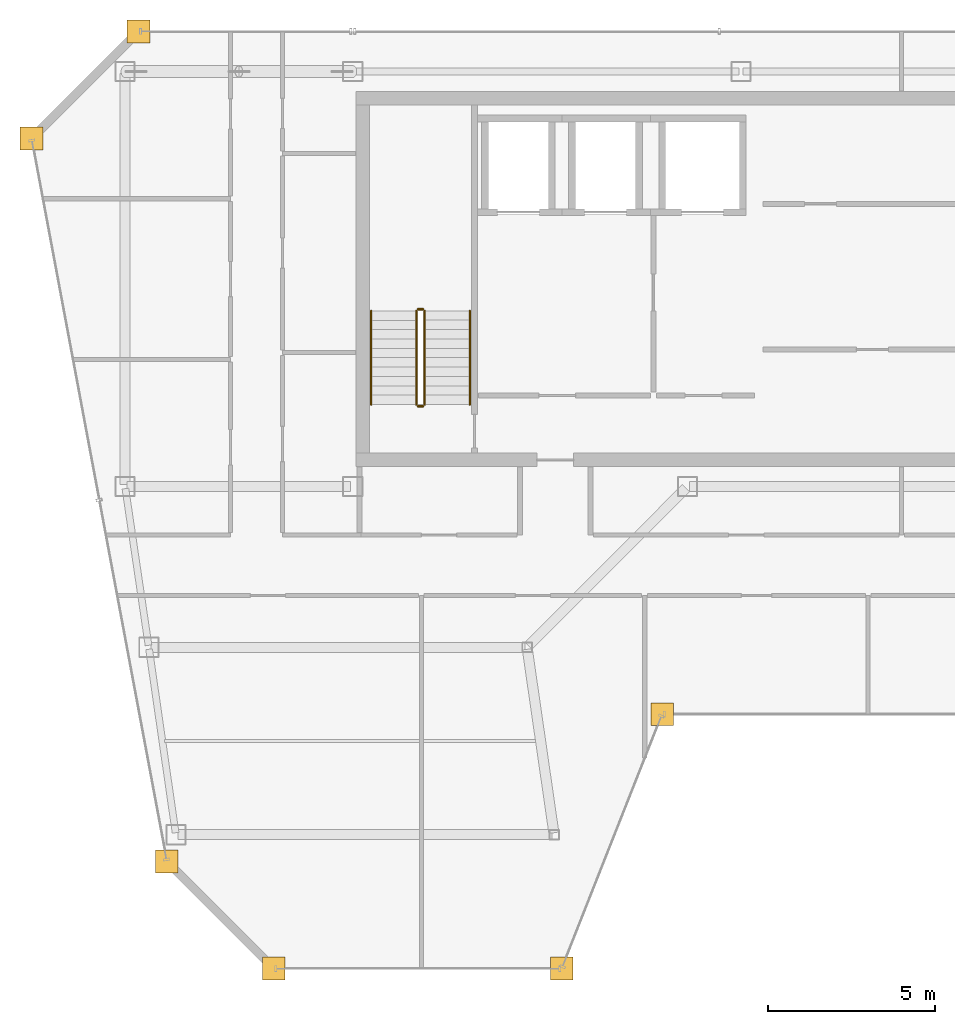
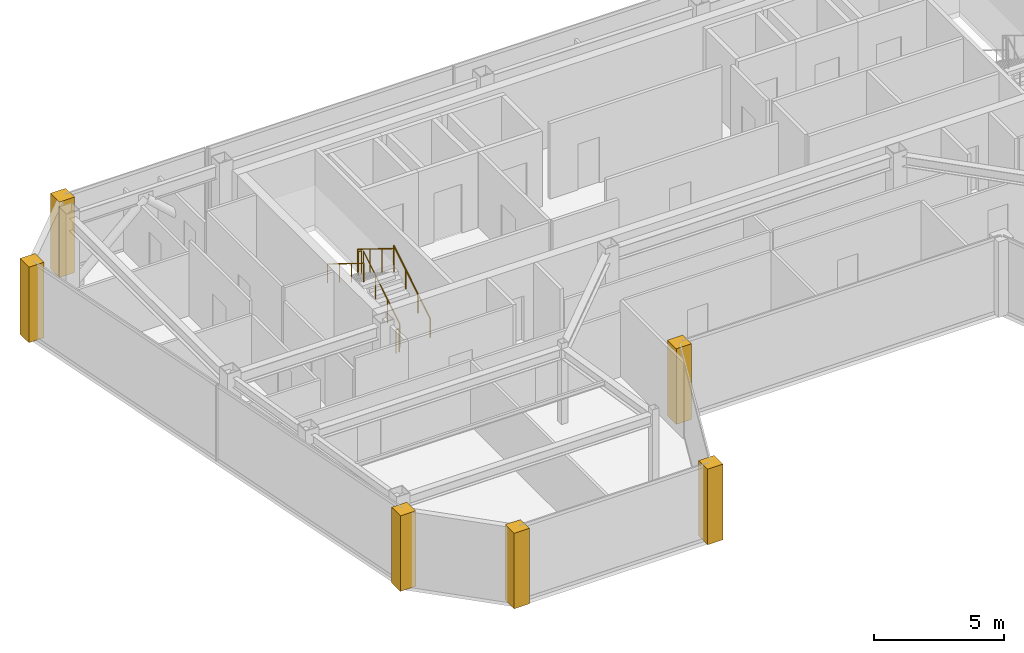
# One storey, part 22 of 23: 6 coverings, 6 railings.
"""IFC4 building model written with IfcOpenShell, lengths in metres."""

from ifc_helpers import new_model, si_unit, direction, frame, origin, origin_2d, place, context, subcontext, project, spatial, polyline, circle, outline, extrude, material, layer, layer_set, type_object, element, save


model = new_model("IFC4")

# Units and contexts
model_context = context("Model", 3, precision=1e-05, world=origin(), true_north=direction((0.0, 1.0)))
body_context = subcontext(model_context, "Body", "Model", "MODEL_VIEW")
ifc_project = project(units=[si_unit("LENGTHUNIT", "METRE"), si_unit("AREAUNIT", "SQUARE_METRE"), si_unit("VOLUMEUNIT", "CUBIC_METRE"), si_unit("PLANEANGLEUNIT", "RADIAN"), si_unit("MASSUNIT", "GRAM", prefix="KILO")], contexts=[model_context])

# Site, building, storey
site_placement = place(None, origin())
site = spatial("IfcSite", under=ifc_project, at=site_placement, CompositionType="ELEMENT")
building_placement = place(site_placement, origin())
building = spatial("IfcBuilding", under=site, at=building_placement, Name="Saevonmaru Cultural Tower", CompositionType="ELEMENT")
storey_placement = place(building_placement, frame((0.0, 0.0, 283.800048828125)))
storey = spatial("IfcBuildingStorey", under=building, at=storey_placement, Name="L67", CompositionType="ELEMENT", Elevation=283.800048828125)

# Coverings
ifc_material_1 = material(Name="Satin Bronze Anodised Aluminium", Category="aluminium")
ifc_layer = layer(ifc_material_1, 0.679931640625, Name="Satin Bronze Anodised Aluminium")
ifc_layer_set = layer_set([ifc_layer], Name="Satin Bronze Anodised Aluminium")
covering_type = type_object("IfcCoveringType", Name="CV-CORNER-CLAD", PredefinedType="CLADDING", material=ifc_layer_set)
covering_1_placement = place(storey_placement, origin())
element("IfcCovering", 1, at=covering_1_placement, inside=storey, type_object=covering_type, Name="L67 Tower Bronze Corner Cladding Pier 1", PredefinedType="CLADDING", context=body_context, shape_type="SweptSolid", body=[
    extrude(outline(polyline([(7.7041015625, 30.860107421875), (8.384033203125, 30.860107421875), (8.384033203125, 31.5400390625), (7.7041015625, 31.5400390625), (7.7041015625, 30.860107421875)])), origin(), (0.0, 0.0, 1.0), 3.550048828125),
])
covering_2_placement = place(storey_placement, origin())
element("IfcCovering", 2, at=covering_2_placement, inside=storey, type_object=covering_type, Name="L67 Tower Bronze Corner Cladding Pier 2", PredefinedType="CLADDING", context=body_context, shape_type="SweptSolid", body=[
    extrude(outline(polyline([(10.904052734375, 27.659912109375), (11.583984375, 27.659912109375), (11.583984375, 28.340087890625), (10.904052734375, 28.340087890625), (10.904052734375, 27.659912109375)])), origin(), (0.0, 0.0, 1.0), 3.550048828125),
])
covering_3_placement = place(storey_placement, origin())
element("IfcCovering", 3, at=covering_3_placement, inside=storey, type_object=covering_type, Name="L67 Tower Bronze Corner Cladding Pier 3", PredefinedType="CLADDING", context=body_context, shape_type="SweptSolid", body=[
    extrude(outline(polyline([(19.50390625, 27.659912109375), (20.18408203125, 27.659912109375), (20.18408203125, 28.340087890625), (19.50390625, 28.340087890625), (19.50390625, 27.659912109375)])), origin(), (0.0, 0.0, 1.0), 3.550048828125),
])
covering_4_placement = place(storey_placement, origin())
element("IfcCovering", 4, at=covering_4_placement, inside=storey, type_object=covering_type, Name="L67 Tower Bronze Corner Cladding Pier 4", PredefinedType="CLADDING", context=body_context, shape_type="SweptSolid", body=[
    extrude(outline(polyline([(22.50390625, 35.260009765625), (23.18408203125, 35.260009765625), (23.18408203125, 35.93994140625), (22.50390625, 35.93994140625), (22.50390625, 35.260009765625)])), origin(), (0.0, 0.0, 1.0), 3.550048828125),
])
covering_5_placement = place(storey_placement, origin())
element("IfcCovering", 5, at=covering_5_placement, inside=storey, type_object=covering_type, Name="L67 Tower Bronze Corner Cladding Pier 11", PredefinedType="CLADDING", context=body_context, shape_type="SweptSolid", body=[
    extrude(outline(polyline([(6.860107421875, 55.659912109375), (7.5400390625, 55.659912109375), (7.5400390625, 56.340087890625), (6.860107421875, 56.340087890625), (6.860107421875, 55.659912109375)])), origin(), (0.0, 0.0, 1.0), 3.550048828125),
])
covering_6_placement = place(storey_placement, origin())
element("IfcCovering", 6, at=covering_6_placement, inside=storey, type_object=covering_type, Name="L67 Tower Bronze Corner Cladding Pier 12", PredefinedType="CLADDING", context=body_context, shape_type="SweptSolid", body=[
    extrude(outline(polyline([(3.659912109375, 52.4599609375), (4.340087890625, 52.4599609375), (4.340087890625, 53.139892578125), (3.659912109375, 53.139892578125), (3.659912109375, 52.4599609375)])), origin(), (0.0, 0.0, 1.0), 3.550048828125),
])

# Railings
ifc_material_2 = material(Name="Architectural Painted Steel", Category="steel")
railing_type_1 = type_object("IfcRailingType", Name="RL-STAIR-GUARD", PredefinedType="GUARDRAIL", material=ifc_material_2)
railing_1_placement = place(storey_placement, frame((15.75, 44.85009765625, 0.172607421875)))
element("IfcRailing", 7, at=railing_1_placement, inside=storey, type_object=railing_type_1, Name="L67 ST-1 stair guard 1", PredefinedType="GUARDRAIL", context=body_context, shape_type="SweptSolid", body=[
    extrude(circle(Radius=0.02392578125, at=origin_2d()), frame((0.0, 0.0, 1.09619140625), z_axis=(0.0, 0.851069175582, 0.525053576669), x_axis=(-1.0, 0.0, 0.0)), (0.0, 0.0, 1.0), 3.289794921875),
    extrude(circle(Radius=0.02099609375, at=origin_2d()), origin(), (0.0, 0.0, 1.0), 1.072021484375),
    extrude(circle(Radius=0.02099609375, at=origin_2d()), frame((0.0, 0.933349609375, 0.57568359375)), (0.0, 0.0, 1.0), 1.072021484375),
    extrude(circle(Radius=0.02099609375, at=origin_2d()), frame((0.0, 1.866455078125, 1.151611328125)), (0.0, 0.0, 1.0), 1.072021484375),
    extrude(circle(Radius=0.02099609375, at=origin_2d()), frame((0.0, 2.7998046875, 1.727294921875)), (0.0, 0.0, 1.0), 1.072021484375),
])
railing_2_placement = place(storey_placement, frame((15.699951171875, 47.699951171875, 1.89990234375)))
element("IfcRailing", 8, at=railing_2_placement, inside=storey, type_object=railing_type_1, Name="L67 ST-1 stair guard 2", PredefinedType="GUARDRAIL", context=body_context, shape_type="SweptSolid", body=[
    extrude(circle(Radius=0.02392578125, at=origin_2d()), frame((0.0, 0.0, 1.09619140625), z_axis=(-1.0, 0.0, 0.0), x_axis=(0.0, -1.0, 0.0)), (0.0, 0.0, 1.0), 0.14990234375),
    extrude(circle(Radius=0.02099609375, at=origin_2d()), origin(), (0.0, 0.0, 1.0), 1.072021484375),
    extrude(circle(Radius=0.02099609375, at=origin_2d()), frame((-0.14990234375, 0.0, 0.0)), (0.0, 0.0, 1.0), 1.072021484375),
])
railing_3_placement = place(storey_placement, frame((15.5, 47.64990234375, 2.07275390625)))
element("IfcRailing", 9, at=railing_3_placement, inside=storey, type_object=railing_type_1, Name="L67 ST-1 stair guard 3", PredefinedType="GUARDRAIL", context=body_context, shape_type="SweptSolid", body=[
    extrude(circle(Radius=0.02392578125, at=origin_2d()), frame((0.0, 0.0, 1.09619140625), z_axis=(0.0, -0.851069175582, 0.525053576669), x_axis=(1.0, 0.0, 0.0)), (0.0, 0.0, 1.0), 3.289794921875),
    extrude(circle(Radius=0.02099609375, at=origin_2d()), origin(), (0.0, 0.0, 1.0), 1.072021484375),
    extrude(circle(Radius=0.02099609375, at=origin_2d()), frame((0.0, -0.933349609375, 0.57568359375)), (0.0, 0.0, 1.0), 1.072021484375),
    extrude(circle(Radius=0.02099609375, at=origin_2d()), frame((0.0, -1.866455078125, 1.151611328125)), (0.0, 0.0, 1.0), 1.072021484375),
    extrude(circle(Radius=0.02099609375, at=origin_2d()), frame((0.0, -2.7998046875, 1.727294921875)), (0.0, 0.0, 1.0), 1.072021484375),
])
railing_4_placement = place(storey_placement, frame((15.699951171875, 44.800048828125, 0.0)))
element("IfcRailing", 10, at=railing_4_placement, inside=storey, type_object=railing_type_1, Name="L67 ST-1 stair guard 4", PredefinedType="GUARDRAIL", context=body_context, shape_type="SweptSolid", body=[
    extrude(circle(Radius=0.02392578125, at=origin_2d()), frame((0.0, 0.0, 1.09619140625), z_axis=(-1.0, 0.0, 0.0), x_axis=(0.0, -1.0, 0.0)), (0.0, 0.0, 1.0), 0.14990234375),
    extrude(circle(Radius=0.02099609375, at=origin_2d()), origin(), (0.0, 0.0, 1.0), 1.072021484375),
    extrude(circle(Radius=0.02099609375, at=origin_2d()), frame((-0.14990234375, 0.0, 0.0)), (0.0, 0.0, 1.0), 1.072021484375),
])
railing_type_2 = type_object("IfcRailingType", Name="RL-STAIR-HANDRAIL", PredefinedType="HANDRAIL", material=ifc_material_1)
railing_5_placement = place(storey_placement, frame((17.10009765625, 44.85009765625, 0.172607421875)))
element("IfcRailing", 11, at=railing_5_placement, inside=storey, type_object=railing_type_2, Name="L67 ST-1 stair handrail 1", PredefinedType="HANDRAIL", context=body_context, shape_type="SweptSolid", body=[
    extrude(circle(Radius=0.02392578125, at=origin_2d()), frame((0.0, 0.0, 0.8759765625), z_axis=(0.0, 0.851069175582, 0.525053576669), x_axis=(-1.0, 0.0, 0.0)), (0.0, 0.0, 1.0), 3.289794921875),
    extrude(circle(Radius=0.02099609375, at=origin_2d()), origin(), (0.0, 0.0, 1.0), 0.851806640625),
    extrude(circle(Radius=0.02099609375, at=origin_2d()), frame((0.0, 0.933349609375, 0.57568359375)), (0.0, 0.0, 1.0), 0.851806640625),
    extrude(circle(Radius=0.02099609375, at=origin_2d()), frame((0.0, 1.866455078125, 1.151611328125)), (0.0, 0.0, 1.0), 0.851806640625),
    extrude(circle(Radius=0.02099609375, at=origin_2d()), frame((0.0, 2.7998046875, 1.727294921875)), (0.0, 0.0, 1.0), 0.851806640625),
])
railing_6_placement = place(storey_placement, frame((14.14990234375, 47.64990234375, 2.07275390625)))
element("IfcRailing", 12, at=railing_6_placement, inside=storey, type_object=railing_type_2, Name="L67 ST-1 stair handrail 2", PredefinedType="HANDRAIL", context=body_context, shape_type="SweptSolid", body=[
    extrude(circle(Radius=0.02392578125, at=origin_2d()), frame((0.0, 0.0, 0.8759765625), z_axis=(0.0, -0.851069175582, 0.525053576669), x_axis=(1.0, 0.0, 0.0)), (0.0, 0.0, 1.0), 3.289794921875),
    extrude(circle(Radius=0.02099609375, at=origin_2d()), origin(), (0.0, 0.0, 1.0), 0.851806640625),
    extrude(circle(Radius=0.02099609375, at=origin_2d()), frame((0.0, -0.933349609375, 0.57568359375)), (0.0, 0.0, 1.0), 0.851806640625),
    extrude(circle(Radius=0.02099609375, at=origin_2d()), frame((0.0, -1.866455078125, 1.151611328125)), (0.0, 0.0, 1.0), 0.851806640625),
    extrude(circle(Radius=0.02099609375, at=origin_2d()), frame((0.0, -2.7998046875, 1.727294921875)), (0.0, 0.0, 1.0), 0.851806640625),
])

save(model, "model.ifc")
